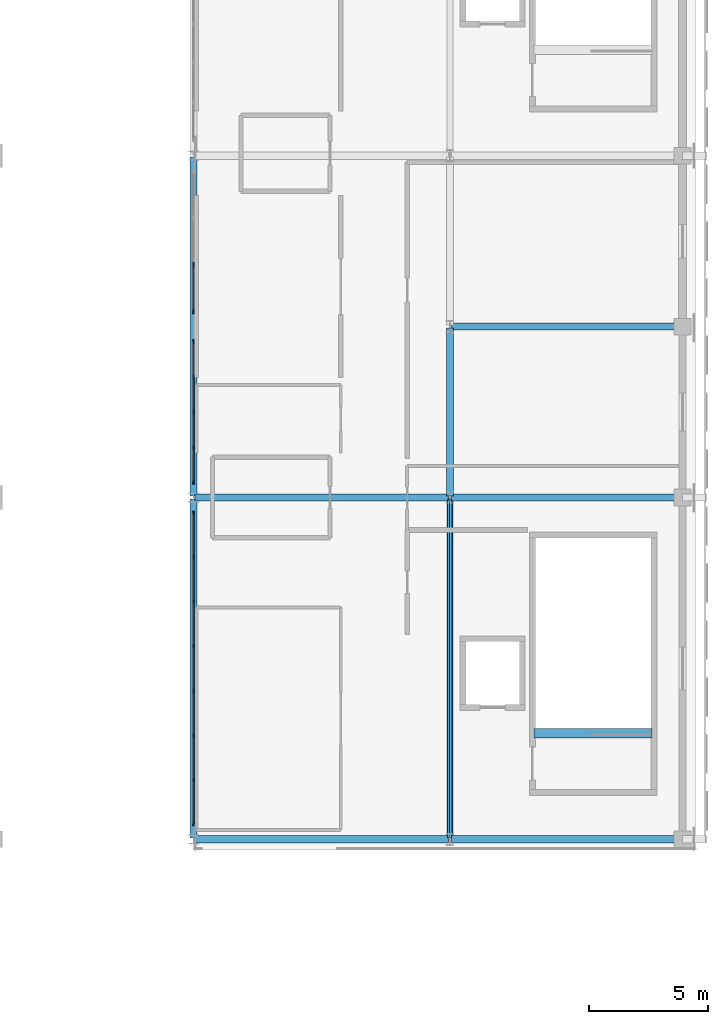
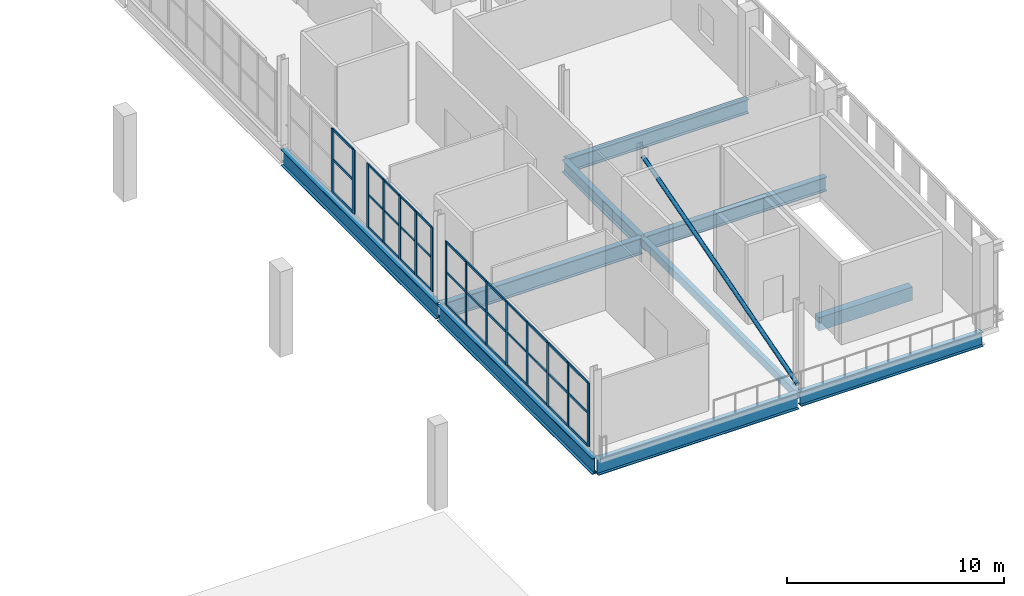
# One storey, part 16 of 51: 52 members, 10 beams, 3 elements without a shape of their own.
"""IFC4 building model written with IfcOpenShell, lengths in metres."""

from ifc_helpers import new_model, si_unit, direction, frame, origin, origin_2d, place, context, subcontext, project, spatial, rectangle, hollow_rectangle, hollow_circle, i_section, extrude, material, material_profile, profile_set, type_object, element, aggregate, save


model = new_model("IFC4")

# Units and contexts
model_context = context("Model", 3, precision=1e-05, world=origin(), true_north=direction((0.0, 1.0)))
body_context = subcontext(model_context, "Body", "Model", "MODEL_VIEW")
ifc_project = project(units=[si_unit("LENGTHUNIT", "METRE"), si_unit("AREAUNIT", "SQUARE_METRE"), si_unit("VOLUMEUNIT", "CUBIC_METRE"), si_unit("PLANEANGLEUNIT", "RADIAN"), si_unit("MASSUNIT", "GRAM", prefix="KILO")], contexts=[model_context])

# Site, building, storey
site_placement = place(None, origin())
site = spatial("IfcSite", under=ifc_project, at=site_placement, CompositionType="ELEMENT")
building_placement = place(site_placement, origin())
building = spatial("IfcBuilding", under=site, at=building_placement, Name="Koshinbarg Plaza Stadium", CompositionType="ELEMENT")
storey_placement = place(building_placement, frame((0.0, 0.0, 24.60009765625)))
storey = spatial("IfcBuildingStorey", under=building, at=storey_placement, Name="L05", CompositionType="ELEMENT", Elevation=24.60009765625)

# Beams
ifc_material_1 = material(Name="Concrete C40/50", Category="concrete")
ifc_material_profile_1 = material_profile(ifc_material_1, rectangle(XDim=0.39990234375, YDim=0.75, at=origin_2d()), Name="RC 400x750")
ifc_profile_set_1 = profile_set([ifc_material_profile_1], Name="Concrete C40/50")
beam_type_1 = type_object("IfcBeamType", Name="BM-RCG-03", PredefinedType="USERDEFINED", material=ifc_profile_set_1)
beam_1_placement = place(storey_placement, frame((212.14990234375, 29.9599609375, -0.375), z_axis=(1.0, 0.0, 0.0), x_axis=(0.0, 1.0, 0.0)))
element("IfcBeam", 1, at=beam_1_placement, inside=storey, type_object=beam_type_1, Name="L05 stair landing header beam C07", ObjectType="GIRDER", PredefinedType="USERDEFINED", context=body_context, shape_type="SweptSolid", body=[
    extrude(rectangle(XDim=0.39990234375, YDim=0.75, at=origin_2d()), origin(), (0.0, 0.0, 1.0), 4.97021484375),
])
ifc_material_2 = material(Name="Steel S355", Category="steel")
ifc_material_profile_2 = material_profile(ifc_material_2, i_section(OverallWidth=0.300048828125, OverallDepth=0.699951171875, WebThickness=0.01708984375, FlangeThickness=0.031982421875, at=origin_2d()), Name="HEB 700")
ifc_profile_set_2 = profile_set([ifc_material_profile_2], Name="Steel S355")
beam_type_2 = type_object("IfcBeamType", Name="BM-SGIR-03", PredefinedType="USERDEFINED", material=ifc_profile_set_2)
beam_2_placement = place(storey_placement, frame((208.60009765625, 39.9599609375, -0.650146484375), z_axis=(0.0, 1.0, 0.0), x_axis=(-1.0, 0.0, 0.0)))
element("IfcBeam", 2, at=beam_2_placement, inside=storey, type_object=beam_type_2, Name="L05 Y girder 20/F-G", ObjectType="GIRDER", PredefinedType="USERDEFINED", context=body_context, shape_type="SweptSolid", body=[
    extrude(i_section(OverallWidth=0.300048828125, OverallDepth=0.699951171875, WebThickness=0.01708984375, FlangeThickness=0.031982421875, at=origin_2d()), origin(), (0.0, 0.0, 1.0), 7.080078125),
])
ifc_material_profile_3 = material_profile(ifc_material_2, i_section(OverallWidth=0.300048828125, OverallDepth=0.800048828125, WebThickness=0.017578125, FlangeThickness=0.032958984375, at=origin_2d()), Name="HEB 800")
ifc_profile_set_3 = profile_set([ifc_material_profile_3], Name="Steel S355")
beam_type_3 = type_object("IfcBeamType", Name="BM-SGIR-04", PredefinedType="USERDEFINED", material=ifc_profile_set_3)
for number, where, z_axis, x_axis, name in (
    (3, (208.659912109375, 25.5, -0.7001953125), (1.0, 0.0, 0.0), (0.0, 1.0, 0.0), "L05 X girder E/20-21"),
    (4, (208.659912109375, 39.89990234375, -0.7001953125), (1.0, 0.0, 0.0), (0.0, 1.0, 0.0), "L05 X girder F/20-21"),
    (5, (208.659912109375, 47.10009765625, -0.7001953125), (1.0, 0.0, 0.0), (0.0, 1.0, 0.0), "L05 X girder G/20-21"),
):
    element("IfcBeam", number, at=place(storey_placement, frame(where, z_axis=z_axis, x_axis=x_axis)), inside=storey, type_object=beam_type_3, Name=name, ObjectType="GIRDER", PredefinedType="USERDEFINED", context=body_context, shape_type="SweptSolid", body=[
        extrude(i_section(OverallWidth=0.300048828125, OverallDepth=0.800048828125, WebThickness=0.017578125, FlangeThickness=0.032958984375, at=origin_2d()), origin(), (0.0, 0.0, 1.0), 9.68017578125),
    ])
ifc_material_profile_4 = material_profile(ifc_material_2, i_section(OverallWidth=0.300048828125, OverallDepth=0.89990234375, WebThickness=0.0185546875, FlangeThickness=0.034912109375, at=origin_2d()), Name="HEB 900")
ifc_profile_set_4 = profile_set([ifc_material_profile_4], Name="Steel S355")
beam_type_4 = type_object("IfcBeamType", Name="BM-SGIR-05", PredefinedType="USERDEFINED", material=ifc_profile_set_4)
for number, where, z_axis, x_axis, name in (
    (6, (197.860107421875, 25.5, -0.75), (1.0, 0.0, 0.0), (0.0, 1.0, 0.0), "L05 X girder E/19-20"),
    (7, (197.860107421875, 39.89990234375, -0.75), (1.0, 0.0, 0.0), (0.0, 1.0, 0.0), "L05 X girder F/19-20"),
):
    element("IfcBeam", number, at=place(storey_placement, frame(where, z_axis=z_axis, x_axis=x_axis)), inside=storey, type_object=beam_type_4, Name=name, ObjectType="GIRDER", PredefinedType="USERDEFINED", context=body_context, shape_type="SweptSolid", body=[
        extrude(i_section(OverallWidth=0.300048828125, OverallDepth=0.89990234375, WebThickness=0.0185546875, FlangeThickness=0.034912109375, at=origin_2d()), origin(), (0.0, 0.0, 1.0), 10.679931640625),
    ])
for number, where, z_axis, x_axis, name in (
    (8, (197.800048828125, 25.56005859375, -0.75), (0.0, 1.0, 0.0), (-1.0, 0.0, 0.0), "L05 Y girder 19/E-F"),
    (9, (197.800048828125, 39.9599609375, -0.75), (0.0, 1.0, 0.0), (-1.0, 0.0, 0.0), "L05 Y girder 19/F-H"),
):
    element("IfcBeam", number, at=place(storey_placement, frame(where, z_axis=z_axis, x_axis=x_axis)), inside=storey, type_object=beam_type_4, Name=name, ObjectType="GIRDER", PredefinedType="USERDEFINED", context=body_context, shape_type="SweptSolid", body=[
        extrude(i_section(OverallWidth=0.300048828125, OverallDepth=0.89990234375, WebThickness=0.0185546875, FlangeThickness=0.034912109375, at=origin_2d()), origin(), (0.0, 0.0, 1.0), 14.280029296875),
    ])
ifc_material_profile_5 = material_profile(ifc_material_2, hollow_rectangle(XDim=0.25, YDim=0.449951171875, WallThickness=0.01611328125, at=origin_2d()), Name="RHS 450x250x16")
ifc_profile_set_5 = profile_set([ifc_material_profile_5], Name="Steel S355")
beam_type_5 = type_object("IfcBeamType", Name="BM-SGIR-06", PredefinedType="USERDEFINED", material=ifc_profile_set_5)
beam_3_placement = place(storey_placement, frame((208.60009765625, 25.56005859375, -0.525146484375), z_axis=(0.0, 1.0, 0.0), x_axis=(-1.0, 0.0, 0.0)))
element("IfcBeam", 10, at=beam_3_placement, inside=storey, type_object=beam_type_5, Name="L05 Y girder 20/E-F", ObjectType="GIRDER", PredefinedType="USERDEFINED", context=body_context, shape_type="SweptSolid", body=[
    extrude(hollow_rectangle(XDim=0.25, YDim=0.449951171875, WallThickness=0.01611328125, at=origin_2d()), origin(), (0.0, 0.0, 1.0), 14.280029296875),
])

# Curtain wall, members
ifc_material_3 = material(Name="Thermally broken anodised aluminium and low-E double glazing", Category="aluminium")
curtain_wall_type_1 = type_object("IfcCurtainWallType", Name="CW-SYS-14", PredefinedType="NOTDEFINED", material=ifc_material_3)
curtain_wall_1_placement = place(storey_placement, origin())
curtain_wall_1 = element("IfcCurtainWall", 11, at=curtain_wall_1_placement, inside=storey, type_object=curtain_wall_type_1, Name="L05 unitised curtain wall CW-L05-141", PredefinedType="NOTDEFINED")
ifc_material_4 = material(Name="Anodised aluminium mullion", Category="aluminium")
ifc_material_profile_6 = material_profile(ifc_material_4, rectangle(XDim=0.06005859375, YDim=0.159912109375, at=origin_2d()), Name="ALU 60x160")
ifc_profile_set_6 = profile_set([ifc_material_profile_6], Name="Anodised aluminium mullion")
member_type_1 = type_object("IfcMemberType", Name="CW-MUL-02", PredefinedType="MULLION", material=ifc_profile_set_6)
member_1_placement = place(storey_placement, frame((197.800048828125, 26.14990234375, 0.0), z_axis=(0.0, 0.0, 1.0), x_axis=(-1.0, 0.0, 0.0)))
member_1 = element("IfcMember", 12, at=member_1_placement, type_object=member_type_1, Name="CW14 mullion 1", PredefinedType="MULLION", context=body_context, shape_type="SweptSolid", body=[
    extrude(rectangle(XDim=0.06005859375, YDim=0.159912109375, at=origin_2d()), origin(), (0.0, 0.0, 1.0), 3.579833984375),
])
member_2_placement = place(storey_placement, frame((197.800048828125, 28.0, 0.0), z_axis=(0.0, 0.0, 1.0), x_axis=(-1.0, 0.0, 0.0)))
member_2 = element("IfcMember", 13, at=member_2_placement, type_object=member_type_1, Name="CW14 mullion 2", PredefinedType="MULLION", context=body_context, shape_type="SweptSolid", body=[
    extrude(rectangle(XDim=0.06005859375, YDim=0.159912109375, at=origin_2d()), origin(), (0.0, 0.0, 1.0), 3.579833984375),
])
member_3_placement = place(storey_placement, frame((197.800048828125, 29.8798828125, 0.0), z_axis=(0.0, 0.0, 1.0), x_axis=(-1.0, 0.0, 0.0)))
member_3 = element("IfcMember", 14, at=member_3_placement, type_object=member_type_1, Name="CW14 mullion 3", PredefinedType="MULLION", context=body_context, shape_type="SweptSolid", body=[
    extrude(rectangle(XDim=0.06005859375, YDim=0.159912109375, at=origin_2d()), origin(), (0.0, 0.0, 1.0), 3.579833984375),
])
member_4_placement = place(storey_placement, frame((197.800048828125, 31.760009765625, 0.0), z_axis=(0.0, 0.0, 1.0), x_axis=(-1.0, 0.0, 0.0)))
member_4 = element("IfcMember", 15, at=member_4_placement, type_object=member_type_1, Name="CW14 mullion 4", PredefinedType="MULLION", context=body_context, shape_type="SweptSolid", body=[
    extrude(rectangle(XDim=0.06005859375, YDim=0.159912109375, at=origin_2d()), origin(), (0.0, 0.0, 1.0), 3.579833984375),
])
member_5_placement = place(storey_placement, frame((197.800048828125, 33.639892578125, 0.0), z_axis=(0.0, 0.0, 1.0), x_axis=(-1.0, 0.0, 0.0)))
member_5 = element("IfcMember", 16, at=member_5_placement, type_object=member_type_1, Name="CW14 mullion 5", PredefinedType="MULLION", context=body_context, shape_type="SweptSolid", body=[
    extrude(rectangle(XDim=0.06005859375, YDim=0.159912109375, at=origin_2d()), origin(), (0.0, 0.0, 1.0), 3.579833984375),
])
member_6_placement = place(storey_placement, frame((197.800048828125, 35.52001953125, 0.0), z_axis=(0.0, 0.0, 1.0), x_axis=(-1.0, 0.0, 0.0)))
member_6 = element("IfcMember", 17, at=member_6_placement, type_object=member_type_1, Name="CW14 mullion 6", PredefinedType="MULLION", context=body_context, shape_type="SweptSolid", body=[
    extrude(rectangle(XDim=0.06005859375, YDim=0.159912109375, at=origin_2d()), origin(), (0.0, 0.0, 1.0), 3.579833984375),
])
member_7_placement = place(storey_placement, frame((197.800048828125, 37.39990234375, 0.0), z_axis=(0.0, 0.0, 1.0), x_axis=(-1.0, 0.0, 0.0)))
member_7 = element("IfcMember", 18, at=member_7_placement, type_object=member_type_1, Name="CW14 mullion 7", PredefinedType="MULLION", context=body_context, shape_type="SweptSolid", body=[
    extrude(rectangle(XDim=0.06005859375, YDim=0.159912109375, at=origin_2d()), origin(), (0.0, 0.0, 1.0), 3.579833984375),
])
member_8_placement = place(storey_placement, frame((197.800048828125, 39.25, 0.0), z_axis=(0.0, 0.0, 1.0), x_axis=(-1.0, 0.0, 0.0)))
member_8 = element("IfcMember", 19, at=member_8_placement, type_object=member_type_1, Name="CW14 mullion 8", PredefinedType="MULLION", context=body_context, shape_type="SweptSolid", body=[
    extrude(rectangle(XDim=0.06005859375, YDim=0.159912109375, at=origin_2d()), origin(), (0.0, 0.0, 1.0), 3.579833984375),
])

curtain_wall_type_2 = type_object("IfcCurtainWallType", Name="CW-SYS-15", PredefinedType="NOTDEFINED", material=ifc_material_3)
curtain_wall_2_placement = place(storey_placement, origin())
curtain_wall_2 = element("IfcCurtainWall", 20, at=curtain_wall_2_placement, inside=storey, type_object=curtain_wall_type_2, Name="L05 unitised curtain wall CW-L05-142", PredefinedType="NOTDEFINED")
ifc_material_profile_7 = material_profile(ifc_material_4, rectangle(XDim=0.070068359375, YDim=0.179931640625, at=origin_2d()), Name="ALU 70x180")
ifc_profile_set_7 = profile_set([ifc_material_profile_7], Name="Anodised aluminium mullion")
member_type_2 = type_object("IfcMemberType", Name="CW-MUL-03", PredefinedType="MULLION", material=ifc_profile_set_7)
member_9_placement = place(storey_placement, frame((197.800048828125, 40.550048828125, 0.0), z_axis=(0.0, 0.0, 1.0), x_axis=(-1.0, 0.0, 0.0)))
member_9 = element("IfcMember", 21, at=member_9_placement, type_object=member_type_2, Name="CW15 mullion 1", PredefinedType="MULLION", context=body_context, shape_type="SweptSolid", body=[
    extrude(rectangle(XDim=0.070068359375, YDim=0.179931640625, at=origin_2d()), origin(), (0.0, 0.0, 1.0), 3.579833984375),
])
member_10_placement = place(storey_placement, frame((197.800048828125, 42.010009765625, 0.0), z_axis=(0.0, 0.0, 1.0), x_axis=(-1.0, 0.0, 0.0)))
member_10 = element("IfcMember", 22, at=member_10_placement, type_object=member_type_2, Name="CW15 mullion 2", PredefinedType="MULLION", context=body_context, shape_type="SweptSolid", body=[
    extrude(rectangle(XDim=0.070068359375, YDim=0.179931640625, at=origin_2d()), origin(), (0.0, 0.0, 1.0), 3.579833984375),
])
member_11_placement = place(storey_placement, frame((197.800048828125, 43.5, 0.0), z_axis=(0.0, 0.0, 1.0), x_axis=(-1.0, 0.0, 0.0)))
member_11 = element("IfcMember", 23, at=member_11_placement, type_object=member_type_2, Name="CW15 mullion 3", PredefinedType="MULLION", context=body_context, shape_type="SweptSolid", body=[
    extrude(rectangle(XDim=0.070068359375, YDim=0.179931640625, at=origin_2d()), origin(), (0.0, 0.0, 1.0), 3.579833984375),
])
member_12_placement = place(storey_placement, frame((197.800048828125, 44.989990234375, 0.0), z_axis=(0.0, 0.0, 1.0), x_axis=(-1.0, 0.0, 0.0)))
member_12 = element("IfcMember", 24, at=member_12_placement, type_object=member_type_2, Name="CW15 mullion 4", PredefinedType="MULLION", context=body_context, shape_type="SweptSolid", body=[
    extrude(rectangle(XDim=0.070068359375, YDim=0.179931640625, at=origin_2d()), origin(), (0.0, 0.0, 1.0), 3.579833984375),
])
member_13_placement = place(storey_placement, frame((197.800048828125, 46.449951171875, 0.0), z_axis=(0.0, 0.0, 1.0), x_axis=(-1.0, 0.0, 0.0)))
member_13 = element("IfcMember", 25, at=member_13_placement, type_object=member_type_2, Name="CW15 mullion 5", PredefinedType="MULLION", context=body_context, shape_type="SweptSolid", body=[
    extrude(rectangle(XDim=0.070068359375, YDim=0.179931640625, at=origin_2d()), origin(), (0.0, 0.0, 1.0), 3.579833984375),
])

curtain_wall_type_3 = type_object("IfcCurtainWallType", Name="CW-SYS-16", PredefinedType="NOTDEFINED", material=ifc_material_3)
curtain_wall_3_placement = place(storey_placement, origin())
curtain_wall_3 = element("IfcCurtainWall", 26, at=curtain_wall_3_placement, inside=storey, type_object=curtain_wall_type_3, Name="L05 unitised curtain wall CW-L05-143", PredefinedType="NOTDEFINED")
ifc_material_profile_8 = material_profile(ifc_material_4, rectangle(XDim=0.070068359375, YDim=0.199951171875, at=origin_2d()), Name="ALU 70x200")
ifc_profile_set_8 = profile_set([ifc_material_profile_8], Name="Anodised aluminium mullion")
member_type_3 = type_object("IfcMemberType", Name="CW-MUL-04", PredefinedType="MULLION", material=ifc_profile_set_8)
member_14_placement = place(storey_placement, frame((197.800048828125, 47.75, 0.0), z_axis=(0.0, 0.0, 1.0), x_axis=(-1.0, 0.0, 0.0)))
member_14 = element("IfcMember", 27, at=member_14_placement, type_object=member_type_3, Name="CW16 mullion 1", PredefinedType="MULLION", context=body_context, shape_type="SweptSolid", body=[
    extrude(rectangle(XDim=0.070068359375, YDim=0.199951171875, at=origin_2d()), origin(), (0.0, 0.0, 1.0), 3.579833984375),
])
member_15_placement = place(storey_placement, frame((197.800048828125, 49.706787109375, 0.0), z_axis=(0.0, 0.0, 1.0), x_axis=(-1.0, 0.0, 0.0)))
member_15 = element("IfcMember", 28, at=member_15_placement, type_object=member_type_3, Name="CW16 mullion 2", PredefinedType="MULLION", context=body_context, shape_type="SweptSolid", body=[
    extrude(rectangle(XDim=0.070068359375, YDim=0.199951171875, at=origin_2d()), origin(), (0.0, 0.0, 1.0), 3.579833984375),
])

# Member
ifc_material_5 = material(Name="Anodised aluminium transom", Category="aluminium")
ifc_material_profile_9 = material_profile(ifc_material_5, rectangle(XDim=0.06005859375, YDim=0.110107421875, at=origin_2d()), Name="ALU 60x110")
ifc_profile_set_9 = profile_set([ifc_material_profile_9], Name="Anodised aluminium transom")
member_type_4 = type_object("IfcMemberType", Name="CW-TRN-01", PredefinedType="USERDEFINED", material=ifc_profile_set_9)
member_16_placement = place(storey_placement, frame((197.800048828125, 40.580078125, 0.02978515625), z_axis=(0.0, 1.0, 0.0), x_axis=(-1.0, 0.0, 0.0)))
member_16 = element("IfcMember", 29, at=member_16_placement, type_object=member_type_4, Name="CW15 transom 1.1", ObjectType="TRANSOM", PredefinedType="USERDEFINED", context=body_context, shape_type="SweptSolid", body=[
    extrude(rectangle(XDim=0.06005859375, YDim=0.110107421875, at=origin_2d()), origin(), (0.0, 0.0, 1.0), 1.39990234375),
])

member_17_placement = place(storey_placement, frame((197.800048828125, 40.580078125, 1.861572265625), z_axis=(0.0, 1.0, 0.0), x_axis=(-1.0, 0.0, 0.0)))
member_17 = element("IfcMember", 30, at=member_17_placement, type_object=member_type_4, Name="CW15 transom 1.2", ObjectType="TRANSOM", PredefinedType="USERDEFINED", context=body_context, shape_type="SweptSolid", body=[
    extrude(rectangle(XDim=0.06005859375, YDim=0.110107421875, at=origin_2d()), origin(), (0.0, 0.0, 1.0), 1.39990234375),
])

member_18_placement = place(storey_placement, frame((197.800048828125, 40.580078125, 3.5498046875), z_axis=(0.0, 1.0, 0.0), x_axis=(-1.0, 0.0, 0.0)))
member_18 = element("IfcMember", 31, at=member_18_placement, type_object=member_type_4, Name="CW15 transom 1.3", ObjectType="TRANSOM", PredefinedType="USERDEFINED", context=body_context, shape_type="SweptSolid", body=[
    extrude(rectangle(XDim=0.06005859375, YDim=0.110107421875, at=origin_2d()), origin(), (0.0, 0.0, 1.0), 1.39990234375),
])

member_19_placement = place(storey_placement, frame((197.800048828125, 42.0400390625, 0.02978515625), z_axis=(0.0, 1.0, 0.0), x_axis=(-1.0, 0.0, 0.0)))
member_19 = element("IfcMember", 32, at=member_19_placement, type_object=member_type_4, Name="CW15 transom 2.1", ObjectType="TRANSOM", PredefinedType="USERDEFINED", context=body_context, shape_type="SweptSolid", body=[
    extrude(rectangle(XDim=0.06005859375, YDim=0.110107421875, at=origin_2d()), origin(), (0.0, 0.0, 1.0), 1.429931640625),
])

member_20_placement = place(storey_placement, frame((197.800048828125, 42.0400390625, 1.861572265625), z_axis=(0.0, 1.0, 0.0), x_axis=(-1.0, 0.0, 0.0)))
member_20 = element("IfcMember", 33, at=member_20_placement, type_object=member_type_4, Name="CW15 transom 2.2", ObjectType="TRANSOM", PredefinedType="USERDEFINED", context=body_context, shape_type="SweptSolid", body=[
    extrude(rectangle(XDim=0.06005859375, YDim=0.110107421875, at=origin_2d()), origin(), (0.0, 0.0, 1.0), 1.429931640625),
])

member_21_placement = place(storey_placement, frame((197.800048828125, 42.0400390625, 3.5498046875), z_axis=(0.0, 1.0, 0.0), x_axis=(-1.0, 0.0, 0.0)))
member_21 = element("IfcMember", 34, at=member_21_placement, type_object=member_type_4, Name="CW15 transom 2.3", ObjectType="TRANSOM", PredefinedType="USERDEFINED", context=body_context, shape_type="SweptSolid", body=[
    extrude(rectangle(XDim=0.06005859375, YDim=0.110107421875, at=origin_2d()), origin(), (0.0, 0.0, 1.0), 1.429931640625),
])

member_22_placement = place(storey_placement, frame((197.800048828125, 43.530029296875, 0.02978515625), z_axis=(0.0, 1.0, 0.0), x_axis=(-1.0, 0.0, 0.0)))
member_22 = element("IfcMember", 35, at=member_22_placement, type_object=member_type_4, Name="CW15 transom 3.1", ObjectType="TRANSOM", PredefinedType="USERDEFINED", context=body_context, shape_type="SweptSolid", body=[
    extrude(rectangle(XDim=0.06005859375, YDim=0.110107421875, at=origin_2d()), origin(), (0.0, 0.0, 1.0), 1.429931640625),
])

member_23_placement = place(storey_placement, frame((197.800048828125, 43.530029296875, 1.861572265625), z_axis=(0.0, 1.0, 0.0), x_axis=(-1.0, 0.0, 0.0)))
member_23 = element("IfcMember", 36, at=member_23_placement, type_object=member_type_4, Name="CW15 transom 3.2", ObjectType="TRANSOM", PredefinedType="USERDEFINED", context=body_context, shape_type="SweptSolid", body=[
    extrude(rectangle(XDim=0.06005859375, YDim=0.110107421875, at=origin_2d()), origin(), (0.0, 0.0, 1.0), 1.429931640625),
])

member_24_placement = place(storey_placement, frame((197.800048828125, 43.530029296875, 3.5498046875), z_axis=(0.0, 1.0, 0.0), x_axis=(-1.0, 0.0, 0.0)))
member_24 = element("IfcMember", 37, at=member_24_placement, type_object=member_type_4, Name="CW15 transom 3.3", ObjectType="TRANSOM", PredefinedType="USERDEFINED", context=body_context, shape_type="SweptSolid", body=[
    extrude(rectangle(XDim=0.06005859375, YDim=0.110107421875, at=origin_2d()), origin(), (0.0, 0.0, 1.0), 1.429931640625),
])

member_25_placement = place(storey_placement, frame((197.800048828125, 45.02001953125, 0.02978515625), z_axis=(0.0, 1.0, 0.0), x_axis=(-1.0, 0.0, 0.0)))
member_25 = element("IfcMember", 38, at=member_25_placement, type_object=member_type_4, Name="CW15 transom 4.1", ObjectType="TRANSOM", PredefinedType="USERDEFINED", context=body_context, shape_type="SweptSolid", body=[
    extrude(rectangle(XDim=0.06005859375, YDim=0.110107421875, at=origin_2d()), origin(), (0.0, 0.0, 1.0), 1.39990234375),
])

member_26_placement = place(storey_placement, frame((197.800048828125, 45.02001953125, 1.861572265625), z_axis=(0.0, 1.0, 0.0), x_axis=(-1.0, 0.0, 0.0)))
member_26 = element("IfcMember", 39, at=member_26_placement, type_object=member_type_4, Name="CW15 transom 4.2", ObjectType="TRANSOM", PredefinedType="USERDEFINED", context=body_context, shape_type="SweptSolid", body=[
    extrude(rectangle(XDim=0.06005859375, YDim=0.110107421875, at=origin_2d()), origin(), (0.0, 0.0, 1.0), 1.39990234375),
])

member_27_placement = place(storey_placement, frame((197.800048828125, 45.02001953125, 3.5498046875), z_axis=(0.0, 1.0, 0.0), x_axis=(-1.0, 0.0, 0.0)))
member_27 = element("IfcMember", 40, at=member_27_placement, type_object=member_type_4, Name="CW15 transom 4.3", ObjectType="TRANSOM", PredefinedType="USERDEFINED", context=body_context, shape_type="SweptSolid", body=[
    extrude(rectangle(XDim=0.06005859375, YDim=0.110107421875, at=origin_2d()), origin(), (0.0, 0.0, 1.0), 1.39990234375),
])

aggregate(curtain_wall_2, [member_9, member_10, member_11, member_12, member_13, member_16, member_17, member_18, member_19, member_20, member_21, member_22, member_23, member_24, member_25, member_26, member_27])

ifc_material_profile_10 = material_profile(ifc_material_5, rectangle(XDim=0.06005859375, YDim=0.1298828125, at=origin_2d()), Name="ALU 60x130")
ifc_profile_set_10 = profile_set([ifc_material_profile_10], Name="Anodised aluminium transom")
member_type_5 = type_object("IfcMemberType", Name="CW-TRN-02", PredefinedType="USERDEFINED", material=ifc_profile_set_10)
member_28_placement = place(storey_placement, frame((197.800048828125, 26.179931640625, 0.02978515625), z_axis=(0.0, 1.0, 0.0), x_axis=(-1.0, 0.0, 0.0)))
member_28 = element("IfcMember", 41, at=member_28_placement, type_object=member_type_5, Name="CW14 transom 1.1", ObjectType="TRANSOM", PredefinedType="USERDEFINED", context=body_context, shape_type="SweptSolid", body=[
    extrude(rectangle(XDim=0.06005859375, YDim=0.1298828125, at=origin_2d()), origin(), (0.0, 0.0, 1.0), 1.7900390625),
])

member_29_placement = place(storey_placement, frame((197.800048828125, 26.179931640625, 1.861572265625), z_axis=(0.0, 1.0, 0.0), x_axis=(-1.0, 0.0, 0.0)))
member_29 = element("IfcMember", 42, at=member_29_placement, type_object=member_type_5, Name="CW14 transom 1.2", ObjectType="TRANSOM", PredefinedType="USERDEFINED", context=body_context, shape_type="SweptSolid", body=[
    extrude(rectangle(XDim=0.06005859375, YDim=0.1298828125, at=origin_2d()), origin(), (0.0, 0.0, 1.0), 1.7900390625),
])

member_30_placement = place(storey_placement, frame((197.800048828125, 26.179931640625, 3.5498046875), z_axis=(0.0, 1.0, 0.0), x_axis=(-1.0, 0.0, 0.0)))
member_30 = element("IfcMember", 43, at=member_30_placement, type_object=member_type_5, Name="CW14 transom 1.3", ObjectType="TRANSOM", PredefinedType="USERDEFINED", context=body_context, shape_type="SweptSolid", body=[
    extrude(rectangle(XDim=0.06005859375, YDim=0.1298828125, at=origin_2d()), origin(), (0.0, 0.0, 1.0), 1.7900390625),
])

member_31_placement = place(storey_placement, frame((197.800048828125, 28.030029296875, 0.02978515625), z_axis=(0.0, 1.0, 0.0), x_axis=(-1.0, 0.0, 0.0)))
member_31 = element("IfcMember", 44, at=member_31_placement, type_object=member_type_5, Name="CW14 transom 2.1", ObjectType="TRANSOM", PredefinedType="USERDEFINED", context=body_context, shape_type="SweptSolid", body=[
    extrude(rectangle(XDim=0.06005859375, YDim=0.1298828125, at=origin_2d()), origin(), (0.0, 0.0, 1.0), 1.820068359375),
])

member_32_placement = place(storey_placement, frame((197.800048828125, 28.030029296875, 1.861572265625), z_axis=(0.0, 1.0, 0.0), x_axis=(-1.0, 0.0, 0.0)))
member_32 = element("IfcMember", 45, at=member_32_placement, type_object=member_type_5, Name="CW14 transom 2.2", ObjectType="TRANSOM", PredefinedType="USERDEFINED", context=body_context, shape_type="SweptSolid", body=[
    extrude(rectangle(XDim=0.06005859375, YDim=0.1298828125, at=origin_2d()), origin(), (0.0, 0.0, 1.0), 1.820068359375),
])

member_33_placement = place(storey_placement, frame((197.800048828125, 28.030029296875, 3.5498046875), z_axis=(0.0, 1.0, 0.0), x_axis=(-1.0, 0.0, 0.0)))
member_33 = element("IfcMember", 46, at=member_33_placement, type_object=member_type_5, Name="CW14 transom 2.3", ObjectType="TRANSOM", PredefinedType="USERDEFINED", context=body_context, shape_type="SweptSolid", body=[
    extrude(rectangle(XDim=0.06005859375, YDim=0.1298828125, at=origin_2d()), origin(), (0.0, 0.0, 1.0), 1.820068359375),
])

member_34_placement = place(storey_placement, frame((197.800048828125, 29.909912109375, 0.02978515625), z_axis=(0.0, 1.0, 0.0), x_axis=(-1.0, 0.0, 0.0)))
member_34 = element("IfcMember", 47, at=member_34_placement, type_object=member_type_5, Name="CW14 transom 3.1", ObjectType="TRANSOM", PredefinedType="USERDEFINED", context=body_context, shape_type="SweptSolid", body=[
    extrude(rectangle(XDim=0.06005859375, YDim=0.1298828125, at=origin_2d()), origin(), (0.0, 0.0, 1.0), 1.820068359375),
])

member_35_placement = place(storey_placement, frame((197.800048828125, 29.909912109375, 1.861572265625), z_axis=(0.0, 1.0, 0.0), x_axis=(-1.0, 0.0, 0.0)))
member_35 = element("IfcMember", 48, at=member_35_placement, type_object=member_type_5, Name="CW14 transom 3.2", ObjectType="TRANSOM", PredefinedType="USERDEFINED", context=body_context, shape_type="SweptSolid", body=[
    extrude(rectangle(XDim=0.06005859375, YDim=0.1298828125, at=origin_2d()), origin(), (0.0, 0.0, 1.0), 1.820068359375),
])

member_36_placement = place(storey_placement, frame((197.800048828125, 29.909912109375, 3.5498046875), z_axis=(0.0, 1.0, 0.0), x_axis=(-1.0, 0.0, 0.0)))
member_36 = element("IfcMember", 49, at=member_36_placement, type_object=member_type_5, Name="CW14 transom 3.3", ObjectType="TRANSOM", PredefinedType="USERDEFINED", context=body_context, shape_type="SweptSolid", body=[
    extrude(rectangle(XDim=0.06005859375, YDim=0.1298828125, at=origin_2d()), origin(), (0.0, 0.0, 1.0), 1.820068359375),
])

member_37_placement = place(storey_placement, frame((197.800048828125, 31.7900390625, 0.02978515625), z_axis=(0.0, 1.0, 0.0), x_axis=(-1.0, 0.0, 0.0)))
member_37 = element("IfcMember", 50, at=member_37_placement, type_object=member_type_5, Name="CW14 transom 4.1", ObjectType="TRANSOM", PredefinedType="USERDEFINED", context=body_context, shape_type="SweptSolid", body=[
    extrude(rectangle(XDim=0.06005859375, YDim=0.1298828125, at=origin_2d()), origin(), (0.0, 0.0, 1.0), 1.820068359375),
])

member_38_placement = place(storey_placement, frame((197.800048828125, 31.7900390625, 1.861572265625), z_axis=(0.0, 1.0, 0.0), x_axis=(-1.0, 0.0, 0.0)))
member_38 = element("IfcMember", 51, at=member_38_placement, type_object=member_type_5, Name="CW14 transom 4.2", ObjectType="TRANSOM", PredefinedType="USERDEFINED", context=body_context, shape_type="SweptSolid", body=[
    extrude(rectangle(XDim=0.06005859375, YDim=0.1298828125, at=origin_2d()), origin(), (0.0, 0.0, 1.0), 1.820068359375),
])

member_39_placement = place(storey_placement, frame((197.800048828125, 31.7900390625, 3.5498046875), z_axis=(0.0, 1.0, 0.0), x_axis=(-1.0, 0.0, 0.0)))
member_39 = element("IfcMember", 52, at=member_39_placement, type_object=member_type_5, Name="CW14 transom 4.3", ObjectType="TRANSOM", PredefinedType="USERDEFINED", context=body_context, shape_type="SweptSolid", body=[
    extrude(rectangle(XDim=0.06005859375, YDim=0.1298828125, at=origin_2d()), origin(), (0.0, 0.0, 1.0), 1.820068359375),
])

member_40_placement = place(storey_placement, frame((197.800048828125, 33.669921875, 0.02978515625), z_axis=(0.0, 1.0, 0.0), x_axis=(-1.0, 0.0, 0.0)))
member_40 = element("IfcMember", 53, at=member_40_placement, type_object=member_type_5, Name="CW14 transom 5.1", ObjectType="TRANSOM", PredefinedType="USERDEFINED", context=body_context, shape_type="SweptSolid", body=[
    extrude(rectangle(XDim=0.06005859375, YDim=0.1298828125, at=origin_2d()), origin(), (0.0, 0.0, 1.0), 1.820068359375),
])

member_41_placement = place(storey_placement, frame((197.800048828125, 33.669921875, 1.861572265625), z_axis=(0.0, 1.0, 0.0), x_axis=(-1.0, 0.0, 0.0)))
member_41 = element("IfcMember", 54, at=member_41_placement, type_object=member_type_5, Name="CW14 transom 5.2", ObjectType="TRANSOM", PredefinedType="USERDEFINED", context=body_context, shape_type="SweptSolid", body=[
    extrude(rectangle(XDim=0.06005859375, YDim=0.1298828125, at=origin_2d()), origin(), (0.0, 0.0, 1.0), 1.820068359375),
])

member_42_placement = place(storey_placement, frame((197.800048828125, 33.669921875, 3.5498046875), z_axis=(0.0, 1.0, 0.0), x_axis=(-1.0, 0.0, 0.0)))
member_42 = element("IfcMember", 55, at=member_42_placement, type_object=member_type_5, Name="CW14 transom 5.3", ObjectType="TRANSOM", PredefinedType="USERDEFINED", context=body_context, shape_type="SweptSolid", body=[
    extrude(rectangle(XDim=0.06005859375, YDim=0.1298828125, at=origin_2d()), origin(), (0.0, 0.0, 1.0), 1.820068359375),
])

member_43_placement = place(storey_placement, frame((197.800048828125, 35.550048828125, 0.02978515625), z_axis=(0.0, 1.0, 0.0), x_axis=(-1.0, 0.0, 0.0)))
member_43 = element("IfcMember", 56, at=member_43_placement, type_object=member_type_5, Name="CW14 transom 6.1", ObjectType="TRANSOM", PredefinedType="USERDEFINED", context=body_context, shape_type="SweptSolid", body=[
    extrude(rectangle(XDim=0.06005859375, YDim=0.1298828125, at=origin_2d()), origin(), (0.0, 0.0, 1.0), 1.820068359375),
])

member_44_placement = place(storey_placement, frame((197.800048828125, 35.550048828125, 1.861572265625), z_axis=(0.0, 1.0, 0.0), x_axis=(-1.0, 0.0, 0.0)))
member_44 = element("IfcMember", 57, at=member_44_placement, type_object=member_type_5, Name="CW14 transom 6.2", ObjectType="TRANSOM", PredefinedType="USERDEFINED", context=body_context, shape_type="SweptSolid", body=[
    extrude(rectangle(XDim=0.06005859375, YDim=0.1298828125, at=origin_2d()), origin(), (0.0, 0.0, 1.0), 1.820068359375),
])

member_45_placement = place(storey_placement, frame((197.800048828125, 35.550048828125, 3.5498046875), z_axis=(0.0, 1.0, 0.0), x_axis=(-1.0, 0.0, 0.0)))
member_45 = element("IfcMember", 58, at=member_45_placement, type_object=member_type_5, Name="CW14 transom 6.3", ObjectType="TRANSOM", PredefinedType="USERDEFINED", context=body_context, shape_type="SweptSolid", body=[
    extrude(rectangle(XDim=0.06005859375, YDim=0.1298828125, at=origin_2d()), origin(), (0.0, 0.0, 1.0), 1.820068359375),
])

member_46_placement = place(storey_placement, frame((197.800048828125, 37.429931640625, 0.02978515625), z_axis=(0.0, 1.0, 0.0), x_axis=(-1.0, 0.0, 0.0)))
member_46 = element("IfcMember", 59, at=member_46_placement, type_object=member_type_5, Name="CW14 transom 7.1", ObjectType="TRANSOM", PredefinedType="USERDEFINED", context=body_context, shape_type="SweptSolid", body=[
    extrude(rectangle(XDim=0.06005859375, YDim=0.1298828125, at=origin_2d()), origin(), (0.0, 0.0, 1.0), 1.7900390625),
])

member_47_placement = place(storey_placement, frame((197.800048828125, 37.429931640625, 1.861572265625), z_axis=(0.0, 1.0, 0.0), x_axis=(-1.0, 0.0, 0.0)))
member_47 = element("IfcMember", 60, at=member_47_placement, type_object=member_type_5, Name="CW14 transom 7.2", ObjectType="TRANSOM", PredefinedType="USERDEFINED", context=body_context, shape_type="SweptSolid", body=[
    extrude(rectangle(XDim=0.06005859375, YDim=0.1298828125, at=origin_2d()), origin(), (0.0, 0.0, 1.0), 1.7900390625),
])

member_48_placement = place(storey_placement, frame((197.800048828125, 37.429931640625, 3.5498046875), z_axis=(0.0, 1.0, 0.0), x_axis=(-1.0, 0.0, 0.0)))
member_48 = element("IfcMember", 61, at=member_48_placement, type_object=member_type_5, Name="CW14 transom 7.3", ObjectType="TRANSOM", PredefinedType="USERDEFINED", context=body_context, shape_type="SweptSolid", body=[
    extrude(rectangle(XDim=0.06005859375, YDim=0.1298828125, at=origin_2d()), origin(), (0.0, 0.0, 1.0), 1.7900390625),
])

aggregate(curtain_wall_1, [member_1, member_2, member_3, member_4, member_5, member_6, member_7, member_8, member_28, member_29, member_30, member_31, member_32, member_33, member_34, member_35, member_36, member_37, member_38, member_39, member_40, member_41, member_42, member_43, member_44, member_45, member_46, member_47, member_48])

member_49_placement = place(storey_placement, frame((197.800048828125, 47.780029296875, 0.02978515625), z_axis=(0.0, 1.0, 0.0), x_axis=(-1.0, 0.0, 0.0)))
member_49 = element("IfcMember", 62, at=member_49_placement, type_object=member_type_5, Name="CW16 transom 1.1", ObjectType="TRANSOM", PredefinedType="USERDEFINED", context=body_context, shape_type="SweptSolid", body=[
    extrude(rectangle(XDim=0.06005859375, YDim=0.1298828125, at=origin_2d()), origin(), (0.0, 0.0, 1.0), 1.896728515625),
])

member_50_placement = place(storey_placement, frame((197.800048828125, 47.780029296875, 1.861572265625), z_axis=(0.0, 1.0, 0.0), x_axis=(-1.0, 0.0, 0.0)))
member_50 = element("IfcMember", 63, at=member_50_placement, type_object=member_type_5, Name="CW16 transom 1.2", ObjectType="TRANSOM", PredefinedType="USERDEFINED", context=body_context, shape_type="SweptSolid", body=[
    extrude(rectangle(XDim=0.06005859375, YDim=0.1298828125, at=origin_2d()), origin(), (0.0, 0.0, 1.0), 1.896728515625),
])

member_51_placement = place(storey_placement, frame((197.800048828125, 47.780029296875, 3.5498046875), z_axis=(0.0, 1.0, 0.0), x_axis=(-1.0, 0.0, 0.0)))
member_51 = element("IfcMember", 64, at=member_51_placement, type_object=member_type_5, Name="CW16 transom 1.3", ObjectType="TRANSOM", PredefinedType="USERDEFINED", context=body_context, shape_type="SweptSolid", body=[
    extrude(rectangle(XDim=0.06005859375, YDim=0.1298828125, at=origin_2d()), origin(), (0.0, 0.0, 1.0), 1.896728515625),
])

aggregate(curtain_wall_3, [member_14, member_15, member_49, member_50, member_51])

ifc_material_profile_11 = material_profile(ifc_material_2, hollow_circle(Radius=0.109619140625, WallThickness=0.010009765625, at=origin_2d()), Name="CHS 219.1x10")
ifc_profile_set_11 = profile_set([ifc_material_profile_11], Name="Steel S355")
member_type_6 = type_object("IfcMemberType", Name="MB-BRACE-03", PredefinedType="BRACE", material=ifc_profile_set_11)
member_52_placement = place(storey_placement, frame((208.60009765625, 25.580078125, 0.0498046875), z_axis=(0.0, 0.960057681506, 0.279802158999), x_axis=(-1.0, 0.0, 0.0)))
element("IfcMember", 65, at=member_52_placement, inside=storey, type_object=member_type_6, Name="L05 lateral frame brace 23", PredefinedType="BRACE", context=body_context, shape_type="SweptSolid", body=[
    extrude(hollow_circle(Radius=0.109619140625, WallThickness=0.010009765625, at=origin_2d()), origin(), (0.0, 0.0, 1.0), 14.83251953125),
])

save(model, "model.ifc")
